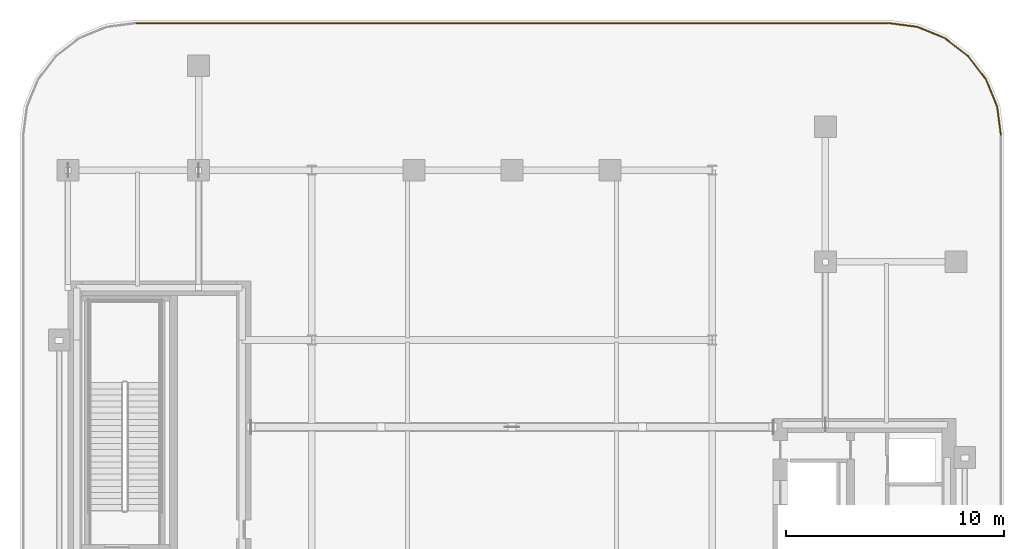
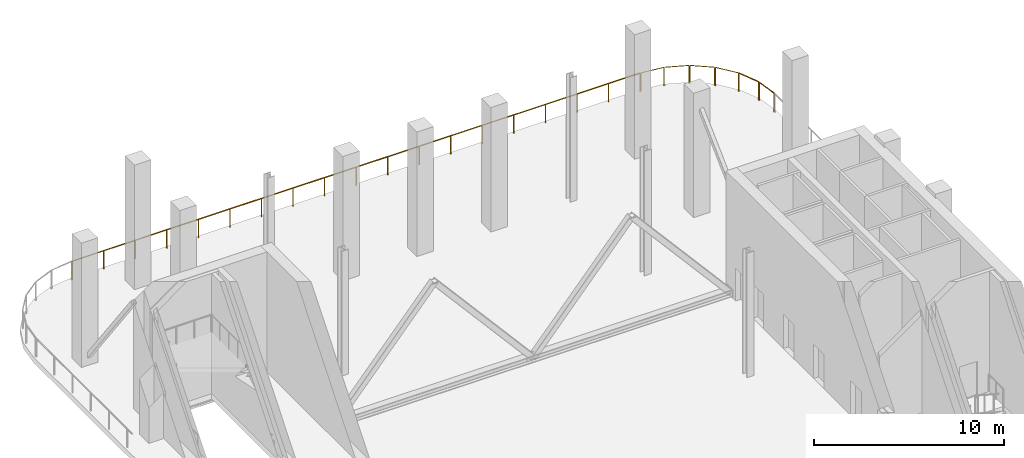
# One storey, part 12 of 12: 7 railings.
"""IFC4 building model written with IfcOpenShell, lengths in metres."""

from ifc_helpers import new_model, si_unit, direction, frame, origin, origin_2d, place, context, subcontext, project, spatial, circle, extrude, material, type_object, element, save


model = new_model("IFC4")

# Units and contexts
model_context = context("Model", 3, precision=1e-05, world=origin(), true_north=direction((0.0, 1.0)))
body_context = subcontext(model_context, "Body", "Model", "MODEL_VIEW")
ifc_project = project(units=[si_unit("LENGTHUNIT", "METRE"), si_unit("AREAUNIT", "SQUARE_METRE"), si_unit("VOLUMEUNIT", "CUBIC_METRE"), si_unit("PLANEANGLEUNIT", "RADIAN"), si_unit("MASSUNIT", "GRAM", prefix="KILO")], contexts=[model_context])

# Site, building, storey
site_placement = place(None, origin())
site = spatial("IfcSite", under=ifc_project, at=site_placement, CompositionType="ELEMENT")
building_placement = place(site_placement, origin())
building = spatial("IfcBuilding", under=site, at=building_placement, Name="Khairoan Windgate Tower", CompositionType="ELEMENT")
storey_placement = place(building_placement, frame((0.0, 0.0, 214.39990234375)))
storey = spatial("IfcBuildingStorey", under=building, at=storey_placement, Name="L50", CompositionType="ELEMENT", Elevation=214.39990234375)

# Railings
ifc_material = material(Name="Anodised Bronze Aluminium 6063-T6", Category="aluminium")
railing_type = type_object("IfcRailingType", Name="Aerodynamic Bronze-and-Glass Balustrade BAL-1200", PredefinedType="BALUSTRADE", material=ifc_material)
railing_1_placement = place(storey_placement, frame((-17.265869140625, 25.360107421875, 0.0)))
element("IfcRailing", 1, at=railing_1_placement, inside=storey, type_object=railing_type, Name="L50 Wind-Slot Portal Perimeter Balustrade 15", PredefinedType="BALUSTRADE", context=body_context, shape_type="SweptSolid", body=[
    extrude(circle(Radius=0.02392578125, at=origin_2d()), frame((0.0, 0.0, 1.17578125), z_axis=(1.0, 0.0, 0.0), x_axis=(0.0, 1.0, 0.0)), (0.0, 0.0, 1.0), 34.53173828125),
    extrude(circle(Radius=0.02099609375, at=origin_2d()), origin(), (0.0, 0.0, 1.0), 1.15185546875),
    extrude(circle(Radius=0.02099609375, at=origin_2d()), frame((1.91845703125, 0.0, 0.0)), (0.0, 0.0, 1.0), 1.15185546875),
    extrude(circle(Radius=0.02099609375, at=origin_2d()), frame((3.8369140625, 0.0, 0.0)), (0.0, 0.0, 1.0), 1.15185546875),
    extrude(circle(Radius=0.02099609375, at=origin_2d()), frame((5.75537109375, 0.0, 0.0)), (0.0, 0.0, 1.0), 1.15185546875),
    extrude(circle(Radius=0.02099609375, at=origin_2d()), frame((7.673828125, 0.0, 0.0)), (0.0, 0.0, 1.0), 1.15185546875),
    extrude(circle(Radius=0.02099609375, at=origin_2d()), frame((9.592041015625, 0.0, 0.0)), (0.0, 0.0, 1.0), 1.15185546875),
    extrude(circle(Radius=0.02099609375, at=origin_2d()), frame((11.510498046875, 0.0, 0.0)), (0.0, 0.0, 1.0), 1.15185546875),
    extrude(circle(Radius=0.02099609375, at=origin_2d()), frame((13.428955078125, 0.0, 0.0)), (0.0, 0.0, 1.0), 1.15185546875),
    extrude(circle(Radius=0.02099609375, at=origin_2d()), frame((15.347412109375, 0.0, 0.0)), (0.0, 0.0, 1.0), 1.15185546875),
    extrude(circle(Radius=0.02099609375, at=origin_2d()), frame((17.265869140625, 0.0, 0.0)), (0.0, 0.0, 1.0), 1.15185546875),
    extrude(circle(Radius=0.02099609375, at=origin_2d()), frame((19.184326171875, 0.0, 0.0)), (0.0, 0.0, 1.0), 1.15185546875),
    extrude(circle(Radius=0.02099609375, at=origin_2d()), frame((21.102783203125, 0.0, 0.0)), (0.0, 0.0, 1.0), 1.15185546875),
    extrude(circle(Radius=0.02099609375, at=origin_2d()), frame((23.021240234375, 0.0, 0.0)), (0.0, 0.0, 1.0), 1.15185546875),
    extrude(circle(Radius=0.02099609375, at=origin_2d()), frame((24.939697265625, 0.0, 0.0)), (0.0, 0.0, 1.0), 1.15185546875),
    extrude(circle(Radius=0.02099609375, at=origin_2d()), frame((26.85791015625, 0.0, 0.0)), (0.0, 0.0, 1.0), 1.15185546875),
    extrude(circle(Radius=0.02099609375, at=origin_2d()), frame((28.7763671875, 0.0, 0.0)), (0.0, 0.0, 1.0), 1.15185546875),
    extrude(circle(Radius=0.02099609375, at=origin_2d()), frame((30.69482421875, 0.0, 0.0)), (0.0, 0.0, 1.0), 1.15185546875),
    extrude(circle(Radius=0.02099609375, at=origin_2d()), frame((32.61328125, 0.0, 0.0)), (0.0, 0.0, 1.0), 1.15185546875),
    extrude(circle(Radius=0.02099609375, at=origin_2d()), frame((34.53173828125, 0.0, 0.0)), (0.0, 0.0, 1.0), 1.15185546875),
])
railing_2_placement = place(storey_placement, frame((17.315673828125, 25.356689453125, 0.0)))
element("IfcRailing", 2, at=railing_2_placement, inside=storey, type_object=railing_type, Name="L50 Wind-Slot Portal Perimeter Balustrade 16", PredefinedType="BALUSTRADE", context=body_context, shape_type="SweptSolid", body=[
    extrude(circle(Radius=0.02392578125, at=origin_2d()), frame((0.0, 0.0, 1.17578125), z_axis=(0.991448567428, -0.130498038858, 0.0), x_axis=(0.130498038858, 0.991448567428, 0.0)), (0.0, 0.0, 1.0), 1.305908203125),
    extrude(circle(Radius=0.02099609375, at=origin_2d()), origin(), (0.0, 0.0, 1.0), 1.15185546875),
    extrude(circle(Radius=0.02099609375, at=origin_2d()), frame((1.294677734375, -0.17041015625, 0.0)), (0.0, 0.0, 1.0), 1.15185546875),
])
railing_3_placement = place(storey_placement, frame((18.658203125, 25.17333984375, 0.0)))
element("IfcRailing", 3, at=railing_3_placement, inside=storey, type_object=railing_type, Name="L50 Wind-Slot Portal Perimeter Balustrade 17", PredefinedType="BALUSTRADE", context=body_context, shape_type="SweptSolid", body=[
    extrude(circle(Radius=0.02392578125, at=origin_2d()), frame((0.0, 0.0, 1.17578125), z_axis=(0.923915871673, -0.382595690084, 0.0), x_axis=(0.382595690084, 0.923915871673, 0.0)), (0.0, 0.0, 1.0), 1.296630859375),
    extrude(circle(Radius=0.02099609375, at=origin_2d()), origin(), (0.0, 0.0, 1.0), 1.15185546875),
    extrude(circle(Radius=0.02099609375, at=origin_2d()), frame((1.197998046875, -0.49609375, 0.0)), (0.0, 0.0, 1.0), 1.15185546875),
])
railing_4_placement = place(storey_placement, frame((19.899169921875, 24.65234375, 0.0)))
element("IfcRailing", 4, at=railing_4_placement, inside=storey, type_object=railing_type, Name="L50 Wind-Slot Portal Perimeter Balustrade 18", PredefinedType="BALUSTRADE", context=body_context, shape_type="SweptSolid", body=[
    extrude(circle(Radius=0.02392578125, at=origin_2d()), frame((0.0, 0.0, 1.17578125), z_axis=(0.793400251683, -0.608700288014, 0.0), x_axis=(0.608700288014, 0.793400251683, 0.0)), (0.0, 0.0, 1.0), 1.296630859375),
    extrude(circle(Radius=0.02099609375, at=origin_2d()), origin(), (0.0, 0.0, 1.0), 1.15185546875),
    extrude(circle(Radius=0.02099609375, at=origin_2d()), frame((1.02880859375, -0.789306640625, 0.0)), (0.0, 0.0, 1.0), 1.15185546875),
])
railing_5_placement = place(storey_placement, frame((20.963134765625, 23.828125, 0.0)))
element("IfcRailing", 5, at=railing_5_placement, inside=storey, type_object=railing_type, Name="L50 Wind-Slot Portal Perimeter Balustrade 19", PredefinedType="BALUSTRADE", context=body_context, shape_type="SweptSolid", body=[
    extrude(circle(Radius=0.02392578125, at=origin_2d()), frame((0.0, 0.0, 1.17578125), z_axis=(0.608700288014, -0.793400251683, 0.0), x_axis=(0.793400251683, 0.608700288014, 0.0)), (0.0, 0.0, 1.0), 1.296630859375),
    extrude(circle(Radius=0.02099609375, at=origin_2d()), origin(), (0.0, 0.0, 1.0), 1.15185546875),
    extrude(circle(Radius=0.02099609375, at=origin_2d()), frame((0.789306640625, -1.02880859375, 0.0)), (0.0, 0.0, 1.0), 1.15185546875),
])
railing_6_placement = place(storey_placement, frame((21.777099609375, 22.75634765625, 0.0)))
element("IfcRailing", 6, at=railing_6_placement, inside=storey, type_object=railing_type, Name="L50 Wind-Slot Portal Perimeter Balustrade 20", PredefinedType="BALUSTRADE", context=body_context, shape_type="SweptSolid", body=[
    extrude(circle(Radius=0.02392578125, at=origin_2d()), frame((0.0, 0.0, 1.17578125), z_axis=(0.382756396898, -0.923849306236, 0.0), x_axis=(0.923849306236, 0.382756396898, 0.0)), (0.0, 0.0, 1.0), 1.296630859375),
    extrude(circle(Radius=0.02099609375, at=origin_2d()), origin(), (0.0, 0.0, 1.0), 1.15185546875),
    extrude(circle(Radius=0.02099609375, at=origin_2d()), frame((0.496337890625, -1.197998046875, 0.0)), (0.0, 0.0, 1.0), 1.15185546875),
])
railing_7_placement = place(storey_placement, frame((22.286376953125, 21.510498046875, 0.0)))
element("IfcRailing", 7, at=railing_7_placement, inside=storey, type_object=railing_type, Name="L50 Wind-Slot Portal Perimeter Balustrade 21", PredefinedType="BALUSTRADE", context=body_context, shape_type="SweptSolid", body=[
    extrude(circle(Radius=0.02392578125, at=origin_2d()), frame((0.0, 0.0, 1.17578125), z_axis=(0.130473854034, -0.991451750421, 0.0), x_axis=(0.991451750421, 0.130473854034, 0.0)), (0.0, 0.0, 1.0), 1.30615234375),
    extrude(circle(Radius=0.02099609375, at=origin_2d()), origin(), (0.0, 0.0, 1.0), 1.15185546875),
    extrude(circle(Radius=0.02099609375, at=origin_2d()), frame((0.17041015625, -1.294921875, 0.0)), (0.0, 0.0, 1.0), 1.15185546875),
])

save(model, "model.ifc")
